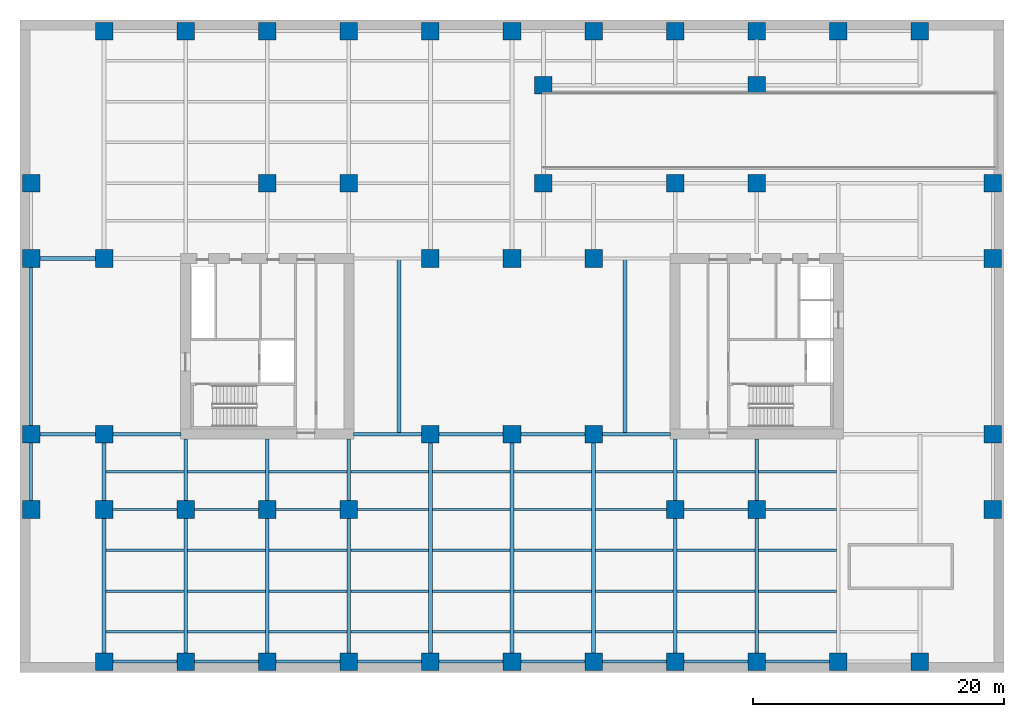
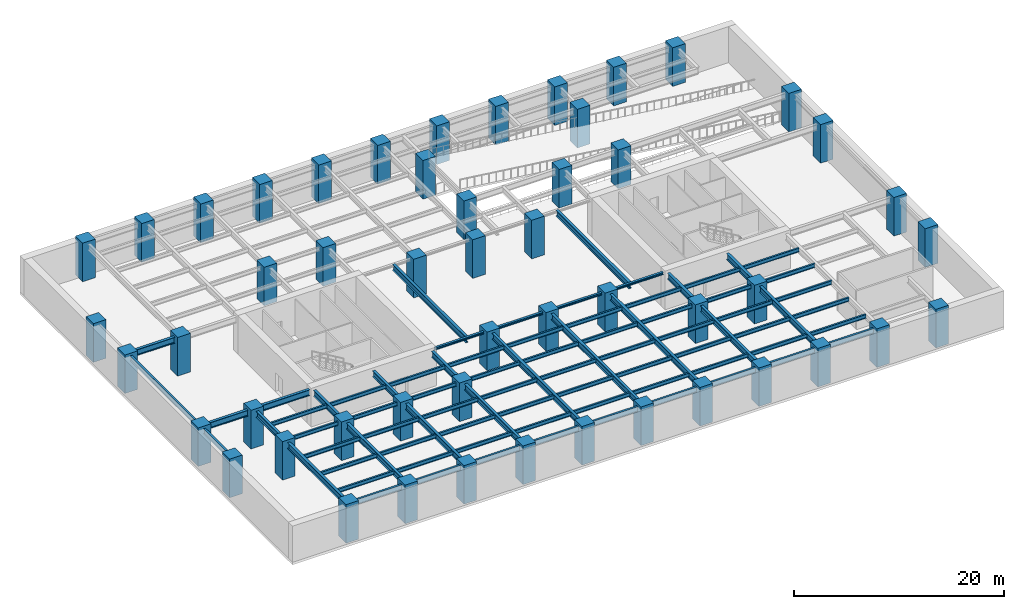
# One storey, part 1 of 10: 80 beams, 51 columns.
"""IFC4 building model written with IfcOpenShell, lengths in metres."""

from ifc_helpers import new_model, si_unit, direction, frame, origin, origin_2d, place, context, subcontext, project, spatial, rectangle, i_section, extrude, material, material_profile, profile_set, type_object, element, save


model = new_model("IFC4")

# Units and contexts
model_context = context("Model", 3, precision=1e-05, world=origin(), true_north=direction((0.0, 1.0)))
body_context = subcontext(model_context, "Body", "Model", "MODEL_VIEW")
ifc_project = project(units=[si_unit("LENGTHUNIT", "METRE"), si_unit("AREAUNIT", "SQUARE_METRE"), si_unit("VOLUMEUNIT", "CUBIC_METRE"), si_unit("PLANEANGLEUNIT", "RADIAN"), si_unit("MASSUNIT", "GRAM", prefix="KILO")], contexts=[model_context])

# Site, building, storey
site_placement = place(None, origin())
site = spatial("IfcSite", under=ifc_project, at=site_placement, CompositionType="ELEMENT")
building_placement = place(site_placement, origin())
building = spatial("IfcBuilding", under=site, at=building_placement, Name="Putna Gate Headquarters", CompositionType="ELEMENT")
storey_placement = place(building_placement, frame((0.0, 0.0, -9.0)))
storey = spatial("IfcBuildingStorey", under=building, at=storey_placement, Name="B02", CompositionType="ELEMENT", Elevation=-9.0)

# Columns
ifc_material_1 = material(Name="Concrete C60/75", Category="concrete")
ifc_material_profile_1 = material_profile(ifc_material_1, rectangle(XDim=1.39990234375, YDim=1.39990234375, at=origin_2d()), Name="Concrete C60/75")
ifc_profile_set_1 = profile_set([ifc_material_profile_1], Name="Concrete C60/75")
column_type = type_object("IfcColumnType", Name="COL-RC1400-INT", PredefinedType="COLUMN", material=ifc_profile_set_1)
for number, where, z_axis, x_axis, name in (
    (1, (19.5, 39.0, 0.0), (0.0, 0.0, 1.0), (1.0, 0.0, 0.0), "B02 Column CSI-WN"),
    (2, (58.5, 13.0, 0.0), (0.0, 0.0, 1.0), (1.0, 0.0, 0.0), "B02 Column CSI-ES"),
    (3, (58.5, 39.0, 0.0), (0.0, 0.0, 1.0), (1.0, 0.0, 0.0), "B02 Column CSI-EN"),
    (4, (6.5, 19.0, 0.0), (0.0, 0.0, 1.0), (1.0, 0.0, 0.0), "B02 Column CSI-WM"),
    (5, (6.5, 33.0, 0.0), (0.0, 0.0, 1.0), (1.0, 0.0, 0.0), "B02 Column CSI-WNW"),
    (6, (6.5, 13.0, 0.0), (0.0, 0.0, 1.0), (1.0, 0.0, 0.0), "B02 Column CSI-WS"),
    (7, (13.0, 13.0, 0.0), (0.0, 0.0, 1.0), (1.0, 0.0, 0.0), "B02 Column CSI-WS13"),
    (8, (19.5, 13.0, 0.0), (0.0, 0.0, 1.0), (1.0, 0.0, 0.0), "B02 Column CSI-WS19"),
    (9, (32.5, 19.0, 0.0), (0.0, 0.0, 1.0), (1.0, 0.0, 0.0), "B02 Column CAI-S32"),
    (10, (32.5, 33.0, 0.0), (0.0, 0.0, 1.0), (1.0, 0.0, 0.0), "B02 Column CAI-N32"),
    (11, (39.0, 19.0, 0.0), (0.0, 0.0, 1.0), (1.0, 0.0, 0.0), "B02 Column CAI-S39"),
    (12, (39.0, 33.0, 0.0), (0.0, 0.0, 1.0), (1.0, 0.0, 0.0), "B02 Column CAI-N39"),
    (13, (45.5, 19.0, 0.0), (0.0, 0.0, 1.0), (1.0, 0.0, 0.0), "B02 Column CAI-S45"),
    (14, (45.5, 33.0, 0.0), (0.0, 0.0, 1.0), (1.0, 0.0, 0.0), "B02 Column CAI-N45"),
    (15, (41.5, 39.0, 0.0), (0.0, 0.0, 1.0), (1.0, 0.0, 0.0), "B02 Column CRMP-SW"),
    (16, (41.5, 46.800048828125, 0.0), (0.0, 0.0, 1.0), (1.0, 0.0, 0.0), "B02 Column CRMP-NW"),
    (17, (58.5, 46.800048828125, 0.0), (0.0, 0.0, 1.0), (1.0, 0.0, 0.0), "B02 Column CRMP-NM"),
    (18, (26.0, 13.0, 0.0), (0.0, 0.0, 1.0), (1.0, 0.0, 0.0), "B02 Column CAP-WS"),
    (19, (26.0, 39.0, 0.0), (0.0, 0.0, 1.0), (1.0, 0.0, 0.0), "B02 Column CAP-WN"),
    (20, (52.0, 13.0, 0.0), (0.0, 0.0, 1.0), (1.0, 0.0, 0.0), "B02 Column CAP-ES"),
    (21, (52.0, 39.0, 0.0), (0.0, 0.0, 1.0), (1.0, 0.0, 0.0), "B02 Column CAP-EN"),
    (22, (6.5, 0.8798828125, 0.0), (0.0, 0.0, 1.0), (1.0, 0.0, 0.0), "B02 Column CP-S6"),
    (23, (6.5, 51.1201171875, 0.0), (0.0, 0.0, 1.0), (1.0, 0.0, 0.0), "B02 Column CP-N6"),
    (24, (13.0, 0.8798828125, 0.0), (0.0, 0.0, 1.0), (1.0, 0.0, 0.0), "B02 Column CP-S13"),
    (25, (13.0, 51.1201171875, 0.0), (0.0, 0.0, 1.0), (1.0, 0.0, 0.0), "B02 Column CP-N13"),
    (26, (19.5, 0.8798828125, 0.0), (0.0, 0.0, 1.0), (1.0, 0.0, 0.0), "B02 Column CP-S19"),
    (27, (19.5, 51.1201171875, 0.0), (0.0, 0.0, 1.0), (1.0, 0.0, 0.0), "B02 Column CP-N19"),
    (28, (26.0, 0.8798828125, 0.0), (0.0, 0.0, 1.0), (1.0, 0.0, 0.0), "B02 Column CP-S26"),
    (29, (26.0, 51.1201171875, 0.0), (0.0, 0.0, 1.0), (1.0, 0.0, 0.0), "B02 Column CP-N26"),
    (30, (32.5, 0.8798828125, 0.0), (0.0, 0.0, 1.0), (1.0, 0.0, 0.0), "B02 Column CP-S32"),
    (31, (32.5, 51.1201171875, 0.0), (0.0, 0.0, 1.0), (1.0, 0.0, 0.0), "B02 Column CP-N32"),
    (32, (39.0, 0.8798828125, 0.0), (0.0, 0.0, 1.0), (1.0, 0.0, 0.0), "B02 Column CP-S39"),
    (33, (39.0, 51.1201171875, 0.0), (0.0, 0.0, 1.0), (1.0, 0.0, 0.0), "B02 Column CP-N39"),
    (34, (45.5, 0.8798828125, 0.0), (0.0, 0.0, 1.0), (1.0, 0.0, 0.0), "B02 Column CP-S45"),
    (35, (45.5, 51.1201171875, 0.0), (0.0, 0.0, 1.0), (1.0, 0.0, 0.0), "B02 Column CP-N45"),
    (36, (52.0, 0.8798828125, 0.0), (0.0, 0.0, 1.0), (1.0, 0.0, 0.0), "B02 Column CP-S52"),
    (37, (52.0, 51.1201171875, 0.0), (0.0, 0.0, 1.0), (1.0, 0.0, 0.0), "B02 Column CP-N52"),
    (38, (58.5, 0.8798828125, 0.0), (0.0, 0.0, 1.0), (1.0, 0.0, 0.0), "B02 Column CP-S58"),
    (39, (58.5, 51.1201171875, 0.0), (0.0, 0.0, 1.0), (1.0, 0.0, 0.0), "B02 Column CP-N58"),
    (40, (65.0, 0.8798828125, 0.0), (0.0, 0.0, 1.0), (1.0, 0.0, 0.0), "B02 Column CP-S65"),
    (41, (65.0, 51.1201171875, 0.0), (0.0, 0.0, 1.0), (1.0, 0.0, 0.0), "B02 Column CP-N65"),
    (42, (71.5, 0.8798828125, 0.0), (0.0, 0.0, 1.0), (1.0, 0.0, 0.0), "B02 Column CP-S71"),
    (43, (71.5, 51.1201171875, 0.0), (0.0, 0.0, 1.0), (1.0, 0.0, 0.0), "B02 Column CP-N71"),
    (44, (0.679931640625, 13.0, 0.0), (0.0, 0.0, 1.0), (1.0, 0.0, 0.0), "B02 Column CP-W13"),
    (45, (77.320068359375, 13.0, 0.0), (0.0, 0.0, 1.0), (1.0, 0.0, 0.0), "B02 Column CP-E13"),
    (46, (0.679931640625, 19.0, 0.0), (0.0, 0.0, 1.0), (1.0, 0.0, 0.0), "B02 Column CP-W19"),
    (47, (77.320068359375, 19.0, 0.0), (0.0, 0.0, 1.0), (1.0, 0.0, 0.0), "B02 Column CP-E19"),
    (48, (0.679931640625, 33.0, 0.0), (0.0, 0.0, 1.0), (1.0, 0.0, 0.0), "B02 Column CP-W33"),
    (49, (77.320068359375, 33.0, 0.0), (0.0, 0.0, 1.0), (1.0, 0.0, 0.0), "B02 Column CP-E33"),
    (50, (0.679931640625, 39.0, 0.0), (0.0, 0.0, 1.0), (1.0, 0.0, 0.0), "B02 Column CP-W39"),
    (51, (77.320068359375, 39.0, 0.0), (0.0, 0.0, 1.0), (1.0, 0.0, 0.0), "B02 Column CP-E39"),
):
    element("IfcColumn", number, at=place(storey_placement, frame(where, z_axis=z_axis, x_axis=x_axis)), inside=storey, type_object=column_type, Name=name, PredefinedType="COLUMN", context=body_context, shape_type="SweptSolid", body=[
        extrude(rectangle(XDim=1.39990234375, YDim=1.39990234375, at=origin_2d()), origin(), (0.0, 0.0, 1.0), 4.5),
    ])

# Beams
ifc_material_2 = material(Name="Steel S355J2", Category="steel")
ifc_material_profile_2 = material_profile(ifc_material_2, i_section(OverallWidth=0.260009765625, OverallDepth=0.260009765625, WebThickness=0.010009765625, FlangeThickness=0.017578125, at=origin_2d()), Name="Steel S355J2")
ifc_profile_set_2 = profile_set([ifc_material_profile_2], Name="Steel S355J2")
beam_type_1 = type_object("IfcBeamType", Name="BM-ATRIUM-HEB260", PredefinedType="BEAM", material=ifc_profile_set_2)
beam_1_placement = place(storey_placement, frame((26.385009765625, 19.0, 4.070068359375), z_axis=(1.0, 0.0, 0.0), x_axis=(0.0, 1.0, 0.0)))
element("IfcBeam", 52, at=beam_1_placement, inside=storey, type_object=beam_type_1, Name="B02 Atrium Edge Beam AS1", PredefinedType="BEAM", context=body_context, shape_type="SweptSolid", body=[
    extrude(i_section(OverallWidth=0.260009765625, OverallDepth=0.260009765625, WebThickness=0.010009765625, FlangeThickness=0.017578125, at=origin_2d()), origin(), (0.0, 0.0, 1.0), 5.427001953125),
])
for number, where, z_axis, x_axis, name in (
    (53, (33.18798828125, 19.0, 4.070068359375), (1.0, 0.0, 0.0), (0.0, 1.0, 0.0), "B02 Atrium Edge Beam AS2"),
    (54, (39.68798828125, 19.0, 4.070068359375), (1.0, 0.0, 0.0), (0.0, 1.0, 0.0), "B02 Atrium Edge Beam AS3"),
):
    element("IfcBeam", number, at=place(storey_placement, frame(where, z_axis=z_axis, x_axis=x_axis)), inside=storey, type_object=beam_type_1, Name=name, PredefinedType="BEAM", context=body_context, shape_type="SweptSolid", body=[
        extrude(i_section(OverallWidth=0.260009765625, OverallDepth=0.260009765625, WebThickness=0.010009765625, FlangeThickness=0.017578125, at=origin_2d()), origin(), (0.0, 0.0, 1.0), 5.1240234375),
    ])
beam_2_placement = place(storey_placement, frame((46.18798828125, 19.0, 4.070068359375), z_axis=(1.0, 0.0, 0.0), x_axis=(0.0, 1.0, 0.0)))
element("IfcBeam", 55, at=beam_2_placement, inside=storey, type_object=beam_type_1, Name="B02 Atrium Edge Beam AS4", PredefinedType="BEAM", context=body_context, shape_type="SweptSolid", body=[
    extrude(i_section(OverallWidth=0.260009765625, OverallDepth=0.260009765625, WebThickness=0.010009765625, FlangeThickness=0.017578125, at=origin_2d()), origin(), (0.0, 0.0, 1.0), 5.427001953125),
])
ifc_material_profile_3 = material_profile(ifc_material_2, i_section(OverallWidth=0.300048828125, OverallDepth=0.699951171875, WebThickness=0.01708984375, FlangeThickness=0.031982421875, at=origin_2d()), Name="Steel S355J2")
ifc_profile_set_3 = profile_set([ifc_material_profile_3], Name="Steel S355J2")
beam_type_2 = type_object("IfcBeamType", Name="BM-GIRD-B-HEB700", PredefinedType="USERDEFINED", material=ifc_profile_set_3)
beam_3_placement = place(storey_placement, frame((1.367919921875, 19.0, 3.85009765625), z_axis=(1.0, 0.0, 0.0), x_axis=(0.0, 1.0, 0.0)))
element("IfcBeam", 56, at=beam_3_placement, inside=storey, type_object=beam_type_2, Name="B02 West Wing Girder Y19-1", ObjectType="GIRDER", PredefinedType="USERDEFINED", context=body_context, shape_type="SweptSolid", body=[
    extrude(i_section(OverallWidth=0.300048828125, OverallDepth=0.699951171875, WebThickness=0.01708984375, FlangeThickness=0.031982421875, at=origin_2d()), origin(), (0.0, 0.0, 1.0), 4.444091796875),
])
beam_4_placement = place(storey_placement, frame((7.18798828125, 19.0, 3.85009765625), z_axis=(1.0, 0.0, 0.0), x_axis=(0.0, 1.0, 0.0)))
element("IfcBeam", 57, at=beam_4_placement, inside=storey, type_object=beam_type_2, Name="B02 West Wing Girder Y19-2", ObjectType="GIRDER", PredefinedType="USERDEFINED", context=body_context, shape_type="SweptSolid", body=[
    extrude(i_section(OverallWidth=0.300048828125, OverallDepth=0.699951171875, WebThickness=0.01708984375, FlangeThickness=0.031982421875, at=origin_2d()), origin(), (0.0, 0.0, 1.0), 5.427001953125),
])
beam_5_placement = place(storey_placement, frame((1.367919921875, 33.0, 3.85009765625), z_axis=(1.0, 0.0, 0.0), x_axis=(0.0, 1.0, 0.0)))
element("IfcBeam", 58, at=beam_5_placement, inside=storey, type_object=beam_type_2, Name="B02 West Wing Girder Y33-1", ObjectType="GIRDER", PredefinedType="USERDEFINED", context=body_context, shape_type="SweptSolid", body=[
    extrude(i_section(OverallWidth=0.300048828125, OverallDepth=0.699951171875, WebThickness=0.01708984375, FlangeThickness=0.031982421875, at=origin_2d()), origin(), (0.0, 0.0, 1.0), 4.444091796875),
])
beam_6_placement = place(storey_placement, frame((6.5, 1.568115234375, 3.85009765625), z_axis=(0.0, 1.0, 0.0), x_axis=(-1.0, 0.0, 0.0)))
element("IfcBeam", 59, at=beam_6_placement, inside=storey, type_object=beam_type_2, Name="B02 South Primary Girder X6-1", ObjectType="GIRDER", PredefinedType="USERDEFINED", context=body_context, shape_type="SweptSolid", body=[
    extrude(i_section(OverallWidth=0.300048828125, OverallDepth=0.699951171875, WebThickness=0.01708984375, FlangeThickness=0.031982421875, at=origin_2d()), origin(), (0.0, 0.0, 1.0), 10.743896484375),
])
beam_7_placement = place(storey_placement, frame((6.5, 13.68798828125, 3.85009765625), z_axis=(0.0, 1.0, 0.0), x_axis=(-1.0, 0.0, 0.0)))
element("IfcBeam", 60, at=beam_7_placement, inside=storey, type_object=beam_type_2, Name="B02 South Primary Girder X6-2", ObjectType="GIRDER", PredefinedType="USERDEFINED", context=body_context, shape_type="SweptSolid", body=[
    extrude(i_section(OverallWidth=0.300048828125, OverallDepth=0.699951171875, WebThickness=0.01708984375, FlangeThickness=0.031982421875, at=origin_2d()), origin(), (0.0, 0.0, 1.0), 4.6240234375),
])
beam_8_placement = place(storey_placement, frame((13.0, 1.568115234375, 3.85009765625), z_axis=(0.0, 1.0, 0.0), x_axis=(-1.0, 0.0, 0.0)))
element("IfcBeam", 61, at=beam_8_placement, inside=storey, type_object=beam_type_2, Name="B02 South Primary Girder X13-1", ObjectType="GIRDER", PredefinedType="USERDEFINED", context=body_context, shape_type="SweptSolid", body=[
    extrude(i_section(OverallWidth=0.300048828125, OverallDepth=0.699951171875, WebThickness=0.01708984375, FlangeThickness=0.031982421875, at=origin_2d()), origin(), (0.0, 0.0, 1.0), 10.743896484375),
])
beam_9_placement = place(storey_placement, frame((13.0, 13.68798828125, 3.85009765625), z_axis=(0.0, 1.0, 0.0), x_axis=(-1.0, 0.0, 0.0)))
element("IfcBeam", 62, at=beam_9_placement, inside=storey, type_object=beam_type_2, Name="B02 South Primary Girder X13-2", ObjectType="GIRDER", PredefinedType="USERDEFINED", context=body_context, shape_type="SweptSolid", body=[
    extrude(i_section(OverallWidth=0.300048828125, OverallDepth=0.699951171875, WebThickness=0.01708984375, FlangeThickness=0.031982421875, at=origin_2d()), origin(), (0.0, 0.0, 1.0), 4.927001953125),
])
beam_10_placement = place(storey_placement, frame((19.5, 1.568115234375, 3.85009765625), z_axis=(0.0, 1.0, 0.0), x_axis=(-1.0, 0.0, 0.0)))
element("IfcBeam", 63, at=beam_10_placement, inside=storey, type_object=beam_type_2, Name="B02 South Primary Girder X19-1", ObjectType="GIRDER", PredefinedType="USERDEFINED", context=body_context, shape_type="SweptSolid", body=[
    extrude(i_section(OverallWidth=0.300048828125, OverallDepth=0.699951171875, WebThickness=0.01708984375, FlangeThickness=0.031982421875, at=origin_2d()), origin(), (0.0, 0.0, 1.0), 10.743896484375),
])
beam_11_placement = place(storey_placement, frame((19.5, 13.68798828125, 3.85009765625), z_axis=(0.0, 1.0, 0.0), x_axis=(-1.0, 0.0, 0.0)))
element("IfcBeam", 64, at=beam_11_placement, inside=storey, type_object=beam_type_2, Name="B02 South Primary Girder X19-2", ObjectType="GIRDER", PredefinedType="USERDEFINED", context=body_context, shape_type="SweptSolid", body=[
    extrude(i_section(OverallWidth=0.300048828125, OverallDepth=0.699951171875, WebThickness=0.01708984375, FlangeThickness=0.031982421875, at=origin_2d()), origin(), (0.0, 0.0, 1.0), 4.927001953125),
])
beam_12_placement = place(storey_placement, frame((26.0, 1.568115234375, 3.85009765625), z_axis=(0.0, 1.0, 0.0), x_axis=(-1.0, 0.0, 0.0)))
element("IfcBeam", 65, at=beam_12_placement, inside=storey, type_object=beam_type_2, Name="B02 South Primary Girder X26-1", ObjectType="GIRDER", PredefinedType="USERDEFINED", context=body_context, shape_type="SweptSolid", body=[
    extrude(i_section(OverallWidth=0.300048828125, OverallDepth=0.699951171875, WebThickness=0.01708984375, FlangeThickness=0.031982421875, at=origin_2d()), origin(), (0.0, 0.0, 1.0), 10.743896484375),
])
beam_13_placement = place(storey_placement, frame((26.0, 13.68798828125, 3.85009765625), z_axis=(0.0, 1.0, 0.0), x_axis=(-1.0, 0.0, 0.0)))
element("IfcBeam", 66, at=beam_13_placement, inside=storey, type_object=beam_type_2, Name="B02 South Primary Girder X26-2", ObjectType="GIRDER", PredefinedType="USERDEFINED", context=body_context, shape_type="SweptSolid", body=[
    extrude(i_section(OverallWidth=0.300048828125, OverallDepth=0.699951171875, WebThickness=0.01708984375, FlangeThickness=0.031982421875, at=origin_2d()), origin(), (0.0, 0.0, 1.0), 4.927001953125),
])
for number, where, z_axis, x_axis, name in (
    (67, (32.5, 1.568115234375, 3.85009765625), (0.0, 1.0, 0.0), (-1.0, 0.0, 0.0), "B02 South Primary Girder X32"),
    (68, (39.0, 1.568115234375, 3.85009765625), (0.0, 1.0, 0.0), (-1.0, 0.0, 0.0), "B02 South Primary Girder X39"),
    (69, (45.5, 1.568115234375, 3.85009765625), (0.0, 1.0, 0.0), (-1.0, 0.0, 0.0), "B02 South Primary Girder X45"),
):
    element("IfcBeam", number, at=place(storey_placement, frame(where, z_axis=z_axis, x_axis=x_axis)), inside=storey, type_object=beam_type_2, Name=name, ObjectType="GIRDER", PredefinedType="USERDEFINED", context=body_context, shape_type="SweptSolid", body=[
        extrude(i_section(OverallWidth=0.300048828125, OverallDepth=0.699951171875, WebThickness=0.01708984375, FlangeThickness=0.031982421875, at=origin_2d()), origin(), (0.0, 0.0, 1.0), 16.743896484375),
    ])
beam_14_placement = place(storey_placement, frame((52.0, 1.568115234375, 3.85009765625), z_axis=(0.0, 1.0, 0.0), x_axis=(-1.0, 0.0, 0.0)))
element("IfcBeam", 70, at=beam_14_placement, inside=storey, type_object=beam_type_2, Name="B02 South Primary Girder X52-1", ObjectType="GIRDER", PredefinedType="USERDEFINED", context=body_context, shape_type="SweptSolid", body=[
    extrude(i_section(OverallWidth=0.300048828125, OverallDepth=0.699951171875, WebThickness=0.01708984375, FlangeThickness=0.031982421875, at=origin_2d()), origin(), (0.0, 0.0, 1.0), 10.743896484375),
])
beam_15_placement = place(storey_placement, frame((52.0, 13.68798828125, 3.85009765625), z_axis=(0.0, 1.0, 0.0), x_axis=(-1.0, 0.0, 0.0)))
element("IfcBeam", 71, at=beam_15_placement, inside=storey, type_object=beam_type_2, Name="B02 South Primary Girder X52-2", ObjectType="GIRDER", PredefinedType="USERDEFINED", context=body_context, shape_type="SweptSolid", body=[
    extrude(i_section(OverallWidth=0.300048828125, OverallDepth=0.699951171875, WebThickness=0.01708984375, FlangeThickness=0.031982421875, at=origin_2d()), origin(), (0.0, 0.0, 1.0), 4.927001953125),
])
beam_16_placement = place(storey_placement, frame((58.5, 1.568115234375, 3.85009765625), z_axis=(0.0, 1.0, 0.0), x_axis=(-1.0, 0.0, 0.0)))
element("IfcBeam", 72, at=beam_16_placement, inside=storey, type_object=beam_type_2, Name="B02 South Primary Girder X58-1", ObjectType="GIRDER", PredefinedType="USERDEFINED", context=body_context, shape_type="SweptSolid", body=[
    extrude(i_section(OverallWidth=0.300048828125, OverallDepth=0.699951171875, WebThickness=0.01708984375, FlangeThickness=0.031982421875, at=origin_2d()), origin(), (0.0, 0.0, 1.0), 10.743896484375),
])
beam_17_placement = place(storey_placement, frame((58.5, 13.68798828125, 3.85009765625), z_axis=(0.0, 1.0, 0.0), x_axis=(-1.0, 0.0, 0.0)))
element("IfcBeam", 73, at=beam_17_placement, inside=storey, type_object=beam_type_2, Name="B02 South Primary Girder X58-2", ObjectType="GIRDER", PredefinedType="USERDEFINED", context=body_context, shape_type="SweptSolid", body=[
    extrude(i_section(OverallWidth=0.300048828125, OverallDepth=0.699951171875, WebThickness=0.01708984375, FlangeThickness=0.031982421875, at=origin_2d()), origin(), (0.0, 0.0, 1.0), 4.927001953125),
])
for number, where, z_axis, x_axis, name in (
    (74, (30.0, 19.010009765625, 3.85009765625), (0.0, 1.0, 0.0), (-1.0, 0.0, 0.0), "B02 Atrium Trim Girder AW"),
    (75, (48.0, 19.010009765625, 3.85009765625), (0.0, 1.0, 0.0), (-1.0, 0.0, 0.0), "B02 Atrium Trim Girder AE"),
):
    element("IfcBeam", number, at=place(storey_placement, frame(where, z_axis=z_axis, x_axis=x_axis)), inside=storey, type_object=beam_type_2, Name=name, ObjectType="GIRDER", PredefinedType="USERDEFINED", context=body_context, shape_type="SweptSolid", body=[
        extrude(i_section(OverallWidth=0.300048828125, OverallDepth=0.699951171875, WebThickness=0.01708984375, FlangeThickness=0.031982421875, at=origin_2d()), origin(), (0.0, 0.0, 1.0), 13.97998046875),
    ])
ifc_material_profile_4 = material_profile(ifc_material_2, i_section(OverallWidth=0.18994140625, OverallDepth=0.449951171875, WebThickness=0.009521484375, FlangeThickness=0.0146484375, at=origin_2d()), Name="Steel S355J2")
ifc_profile_set_4 = profile_set([ifc_material_profile_4], Name="Steel S355J2")
beam_type_3 = type_object("IfcBeamType", Name="BM-SEC-B-IPE450", PredefinedType="BEAM", material=ifc_profile_set_4)
for number, where, z_axis, x_axis, name in (
    (76, (6.654052734375, 3.25, 3.97509765625), (1.0, 0.0, 0.0), (0.0, 1.0, 0.0), "B02 South Secondary Beam 1"),
    (77, (6.654052734375, 6.5, 3.97509765625), (1.0, 0.0, 0.0), (0.0, 1.0, 0.0), "B02 South Secondary Beam 1"),
    (78, (6.654052734375, 9.75, 3.97509765625), (1.0, 0.0, 0.0), (0.0, 1.0, 0.0), "B02 South Secondary Beam 1"),
):
    element("IfcBeam", number, at=place(storey_placement, frame(where, z_axis=z_axis, x_axis=x_axis)), inside=storey, type_object=beam_type_3, Name=name, PredefinedType="BEAM", context=body_context, shape_type="SweptSolid", body=[
        extrude(i_section(OverallWidth=0.18994140625, OverallDepth=0.449951171875, WebThickness=0.009521484375, FlangeThickness=0.0146484375, at=origin_2d()), origin(), (0.0, 0.0, 1.0), 6.19189453125),
    ])
beam_18_placement = place(storey_placement, frame((7.18798828125, 13.0, 3.97509765625), z_axis=(1.0, 0.0, 0.0), x_axis=(0.0, 1.0, 0.0)))
element("IfcBeam", 79, at=beam_18_placement, inside=storey, type_object=beam_type_3, Name="B02 South Secondary Beam 1", PredefinedType="BEAM", context=body_context, shape_type="SweptSolid", body=[
    extrude(i_section(OverallWidth=0.18994140625, OverallDepth=0.449951171875, WebThickness=0.009521484375, FlangeThickness=0.0146484375, at=origin_2d()), origin(), (0.0, 0.0, 1.0), 5.1240234375),
])
for number, where, z_axis, x_axis, name in (
    (80, (6.654052734375, 16.0, 3.97509765625), (1.0, 0.0, 0.0), (0.0, 1.0, 0.0), "B02 South Secondary Beam 1"),
    (81, (13.154052734375, 3.25, 3.97509765625), (1.0, 0.0, 0.0), (0.0, 1.0, 0.0), "B02 South Secondary Beam 2"),
    (82, (13.154052734375, 6.5, 3.97509765625), (1.0, 0.0, 0.0), (0.0, 1.0, 0.0), "B02 South Secondary Beam 2"),
    (83, (13.154052734375, 9.75, 3.97509765625), (1.0, 0.0, 0.0), (0.0, 1.0, 0.0), "B02 South Secondary Beam 2"),
):
    element("IfcBeam", number, at=place(storey_placement, frame(where, z_axis=z_axis, x_axis=x_axis)), inside=storey, type_object=beam_type_3, Name=name, PredefinedType="BEAM", context=body_context, shape_type="SweptSolid", body=[
        extrude(i_section(OverallWidth=0.18994140625, OverallDepth=0.449951171875, WebThickness=0.009521484375, FlangeThickness=0.0146484375, at=origin_2d()), origin(), (0.0, 0.0, 1.0), 6.19189453125),
    ])
beam_19_placement = place(storey_placement, frame((13.68798828125, 13.0, 3.97509765625), z_axis=(1.0, 0.0, 0.0), x_axis=(0.0, 1.0, 0.0)))
element("IfcBeam", 84, at=beam_19_placement, inside=storey, type_object=beam_type_3, Name="B02 South Secondary Beam 2", PredefinedType="BEAM", context=body_context, shape_type="SweptSolid", body=[
    extrude(i_section(OverallWidth=0.18994140625, OverallDepth=0.449951171875, WebThickness=0.009521484375, FlangeThickness=0.0146484375, at=origin_2d()), origin(), (0.0, 0.0, 1.0), 5.1240234375),
])
for number, where, z_axis, x_axis, name in (
    (85, (13.154052734375, 16.0, 3.97509765625), (1.0, 0.0, 0.0), (0.0, 1.0, 0.0), "B02 South Secondary Beam 2"),
    (86, (19.654052734375, 3.25, 3.97509765625), (1.0, 0.0, 0.0), (0.0, 1.0, 0.0), "B02 South Secondary Beam 3"),
    (87, (19.654052734375, 6.5, 3.97509765625), (1.0, 0.0, 0.0), (0.0, 1.0, 0.0), "B02 South Secondary Beam 3"),
    (88, (19.654052734375, 9.75, 3.97509765625), (1.0, 0.0, 0.0), (0.0, 1.0, 0.0), "B02 South Secondary Beam 3"),
):
    element("IfcBeam", number, at=place(storey_placement, frame(where, z_axis=z_axis, x_axis=x_axis)), inside=storey, type_object=beam_type_3, Name=name, PredefinedType="BEAM", context=body_context, shape_type="SweptSolid", body=[
        extrude(i_section(OverallWidth=0.18994140625, OverallDepth=0.449951171875, WebThickness=0.009521484375, FlangeThickness=0.0146484375, at=origin_2d()), origin(), (0.0, 0.0, 1.0), 6.19189453125),
    ])
beam_20_placement = place(storey_placement, frame((20.18798828125, 13.0, 3.97509765625), z_axis=(1.0, 0.0, 0.0), x_axis=(0.0, 1.0, 0.0)))
element("IfcBeam", 89, at=beam_20_placement, inside=storey, type_object=beam_type_3, Name="B02 South Secondary Beam 3", PredefinedType="BEAM", context=body_context, shape_type="SweptSolid", body=[
    extrude(i_section(OverallWidth=0.18994140625, OverallDepth=0.449951171875, WebThickness=0.009521484375, FlangeThickness=0.0146484375, at=origin_2d()), origin(), (0.0, 0.0, 1.0), 5.1240234375),
])
for number, where, z_axis, x_axis, name in (
    (90, (19.654052734375, 16.0, 3.97509765625), (1.0, 0.0, 0.0), (0.0, 1.0, 0.0), "B02 South Secondary Beam 3"),
    (91, (26.154052734375, 3.25, 3.97509765625), (1.0, 0.0, 0.0), (0.0, 1.0, 0.0), "B02 South Secondary Beam 4"),
    (92, (26.154052734375, 6.5, 3.97509765625), (1.0, 0.0, 0.0), (0.0, 1.0, 0.0), "B02 South Secondary Beam 4"),
    (93, (26.154052734375, 9.75, 3.97509765625), (1.0, 0.0, 0.0), (0.0, 1.0, 0.0), "B02 South Secondary Beam 4"),
):
    element("IfcBeam", number, at=place(storey_placement, frame(where, z_axis=z_axis, x_axis=x_axis)), inside=storey, type_object=beam_type_3, Name=name, PredefinedType="BEAM", context=body_context, shape_type="SweptSolid", body=[
        extrude(i_section(OverallWidth=0.18994140625, OverallDepth=0.449951171875, WebThickness=0.009521484375, FlangeThickness=0.0146484375, at=origin_2d()), origin(), (0.0, 0.0, 1.0), 6.19189453125),
    ])
beam_21_placement = place(storey_placement, frame((26.68798828125, 13.0, 3.97509765625), z_axis=(1.0, 0.0, 0.0), x_axis=(0.0, 1.0, 0.0)))
element("IfcBeam", 94, at=beam_21_placement, inside=storey, type_object=beam_type_3, Name="B02 South Secondary Beam 4", PredefinedType="BEAM", context=body_context, shape_type="SweptSolid", body=[
    extrude(i_section(OverallWidth=0.18994140625, OverallDepth=0.449951171875, WebThickness=0.009521484375, FlangeThickness=0.0146484375, at=origin_2d()), origin(), (0.0, 0.0, 1.0), 5.657958984375),
])
for number, where, z_axis, x_axis, name in (
    (95, (26.154052734375, 16.0, 3.97509765625), (1.0, 0.0, 0.0), (0.0, 1.0, 0.0), "B02 South Secondary Beam 4"),
    (96, (32.654052734375, 3.25, 3.97509765625), (1.0, 0.0, 0.0), (0.0, 1.0, 0.0), "B02 South Secondary Beam 5"),
    (97, (32.654052734375, 6.5, 3.97509765625), (1.0, 0.0, 0.0), (0.0, 1.0, 0.0), "B02 South Secondary Beam 5"),
    (98, (32.654052734375, 9.75, 3.97509765625), (1.0, 0.0, 0.0), (0.0, 1.0, 0.0), "B02 South Secondary Beam 5"),
    (99, (32.654052734375, 13.0, 3.97509765625), (1.0, 0.0, 0.0), (0.0, 1.0, 0.0), "B02 South Secondary Beam 5"),
    (100, (32.654052734375, 16.0, 3.97509765625), (1.0, 0.0, 0.0), (0.0, 1.0, 0.0), "B02 South Secondary Beam 5"),
    (101, (39.154052734375, 3.25, 3.97509765625), (1.0, 0.0, 0.0), (0.0, 1.0, 0.0), "B02 South Secondary Beam 6"),
    (102, (39.154052734375, 6.5, 3.97509765625), (1.0, 0.0, 0.0), (0.0, 1.0, 0.0), "B02 South Secondary Beam 6"),
    (103, (39.154052734375, 9.75, 3.97509765625), (1.0, 0.0, 0.0), (0.0, 1.0, 0.0), "B02 South Secondary Beam 6"),
    (104, (39.154052734375, 13.0, 3.97509765625), (1.0, 0.0, 0.0), (0.0, 1.0, 0.0), "B02 South Secondary Beam 6"),
    (105, (39.154052734375, 16.0, 3.97509765625), (1.0, 0.0, 0.0), (0.0, 1.0, 0.0), "B02 South Secondary Beam 6"),
    (106, (45.654052734375, 3.25, 3.97509765625), (1.0, 0.0, 0.0), (0.0, 1.0, 0.0), "B02 South Secondary Beam 7"),
    (107, (45.654052734375, 6.5, 3.97509765625), (1.0, 0.0, 0.0), (0.0, 1.0, 0.0), "B02 South Secondary Beam 7"),
    (108, (45.654052734375, 9.75, 3.97509765625), (1.0, 0.0, 0.0), (0.0, 1.0, 0.0), "B02 South Secondary Beam 7"),
):
    element("IfcBeam", number, at=place(storey_placement, frame(where, z_axis=z_axis, x_axis=x_axis)), inside=storey, type_object=beam_type_3, Name=name, PredefinedType="BEAM", context=body_context, shape_type="SweptSolid", body=[
        extrude(i_section(OverallWidth=0.18994140625, OverallDepth=0.449951171875, WebThickness=0.009521484375, FlangeThickness=0.0146484375, at=origin_2d()), origin(), (0.0, 0.0, 1.0), 6.19189453125),
    ])
beam_22_placement = place(storey_placement, frame((45.654052734375, 13.0, 3.97509765625), z_axis=(1.0, 0.0, 0.0), x_axis=(0.0, 1.0, 0.0)))
element("IfcBeam", 109, at=beam_22_placement, inside=storey, type_object=beam_type_3, Name="B02 South Secondary Beam 7", PredefinedType="BEAM", context=body_context, shape_type="SweptSolid", body=[
    extrude(i_section(OverallWidth=0.18994140625, OverallDepth=0.449951171875, WebThickness=0.009521484375, FlangeThickness=0.0146484375, at=origin_2d()), origin(), (0.0, 0.0, 1.0), 5.657958984375),
])
for number, where, z_axis, x_axis, name in (
    (110, (45.654052734375, 16.0, 3.97509765625), (1.0, 0.0, 0.0), (0.0, 1.0, 0.0), "B02 South Secondary Beam 7"),
    (111, (52.154052734375, 3.25, 3.97509765625), (1.0, 0.0, 0.0), (0.0, 1.0, 0.0), "B02 South Secondary Beam 8"),
    (112, (52.154052734375, 6.5, 3.97509765625), (1.0, 0.0, 0.0), (0.0, 1.0, 0.0), "B02 South Secondary Beam 8"),
    (113, (52.154052734375, 9.75, 3.97509765625), (1.0, 0.0, 0.0), (0.0, 1.0, 0.0), "B02 South Secondary Beam 8"),
):
    element("IfcBeam", number, at=place(storey_placement, frame(where, z_axis=z_axis, x_axis=x_axis)), inside=storey, type_object=beam_type_3, Name=name, PredefinedType="BEAM", context=body_context, shape_type="SweptSolid", body=[
        extrude(i_section(OverallWidth=0.18994140625, OverallDepth=0.449951171875, WebThickness=0.009521484375, FlangeThickness=0.0146484375, at=origin_2d()), origin(), (0.0, 0.0, 1.0), 6.19189453125),
    ])
beam_23_placement = place(storey_placement, frame((52.68798828125, 13.0, 3.97509765625), z_axis=(1.0, 0.0, 0.0), x_axis=(0.0, 1.0, 0.0)))
element("IfcBeam", 114, at=beam_23_placement, inside=storey, type_object=beam_type_3, Name="B02 South Secondary Beam 8", PredefinedType="BEAM", context=body_context, shape_type="SweptSolid", body=[
    extrude(i_section(OverallWidth=0.18994140625, OverallDepth=0.449951171875, WebThickness=0.009521484375, FlangeThickness=0.0146484375, at=origin_2d()), origin(), (0.0, 0.0, 1.0), 5.1240234375),
])
for number, where, z_axis, x_axis, name in (
    (115, (52.154052734375, 16.0, 3.97509765625), (1.0, 0.0, 0.0), (0.0, 1.0, 0.0), "B02 South Secondary Beam 8"),
    (116, (58.654052734375, 3.25, 3.97509765625), (1.0, 0.0, 0.0), (0.0, 1.0, 0.0), "B02 South Secondary Beam 9"),
    (117, (58.654052734375, 6.5, 3.97509765625), (1.0, 0.0, 0.0), (0.0, 1.0, 0.0), "B02 South Secondary Beam 9"),
    (118, (58.654052734375, 9.75, 3.97509765625), (1.0, 0.0, 0.0), (0.0, 1.0, 0.0), "B02 South Secondary Beam 9"),
):
    element("IfcBeam", number, at=place(storey_placement, frame(where, z_axis=z_axis, x_axis=x_axis)), inside=storey, type_object=beam_type_3, Name=name, PredefinedType="BEAM", context=body_context, shape_type="SweptSolid", body=[
        extrude(i_section(OverallWidth=0.18994140625, OverallDepth=0.449951171875, WebThickness=0.009521484375, FlangeThickness=0.0146484375, at=origin_2d()), origin(), (0.0, 0.0, 1.0), 6.19189453125),
    ])
beam_24_placement = place(storey_placement, frame((59.18798828125, 13.0, 3.97509765625), z_axis=(1.0, 0.0, 0.0), x_axis=(0.0, 1.0, 0.0)))
element("IfcBeam", 119, at=beam_24_placement, inside=storey, type_object=beam_type_3, Name="B02 South Secondary Beam 9", PredefinedType="BEAM", context=body_context, shape_type="SweptSolid", body=[
    extrude(i_section(OverallWidth=0.18994140625, OverallDepth=0.449951171875, WebThickness=0.009521484375, FlangeThickness=0.0146484375, at=origin_2d()), origin(), (0.0, 0.0, 1.0), 5.657958984375),
])
beam_25_placement = place(storey_placement, frame((58.654052734375, 16.0, 3.97509765625), z_axis=(1.0, 0.0, 0.0), x_axis=(0.0, 1.0, 0.0)))
element("IfcBeam", 120, at=beam_25_placement, inside=storey, type_object=beam_type_3, Name="B02 South Secondary Beam 9", PredefinedType="BEAM", context=body_context, shape_type="SweptSolid", body=[
    extrude(i_section(OverallWidth=0.18994140625, OverallDepth=0.449951171875, WebThickness=0.009521484375, FlangeThickness=0.0146484375, at=origin_2d()), origin(), (0.0, 0.0, 1.0), 6.19189453125),
])
ifc_material_profile_5 = material_profile(ifc_material_2, i_section(OverallWidth=0.219970703125, OverallDepth=0.60009765625, WebThickness=0.011962890625, FlangeThickness=0.01904296875, at=origin_2d()), Name="Steel S355J2")
ifc_profile_set_5 = profile_set([ifc_material_profile_5], Name="Steel S355J2")
beam_type_4 = type_object("IfcBeamType", Name="BM-SPAN-B-IPE600", PredefinedType="SPANDREL", material=ifc_profile_set_5)
for number, where, z_axis, x_axis, name in (
    (121, (7.18798828125, 0.8798828125, 3.89990234375), (1.0, 0.0, 0.0), (0.0, 1.0, 0.0), "B02 S Perimeter Spandrel 1"),
    (122, (13.68798828125, 0.8798828125, 3.89990234375), (1.0, 0.0, 0.0), (0.0, 1.0, 0.0), "B02 S Perimeter Spandrel 2"),
    (123, (20.18798828125, 0.8798828125, 3.89990234375), (1.0, 0.0, 0.0), (0.0, 1.0, 0.0), "B02 S Perimeter Spandrel 3"),
    (124, (26.68798828125, 0.8798828125, 3.89990234375), (1.0, 0.0, 0.0), (0.0, 1.0, 0.0), "B02 S Perimeter Spandrel 4"),
    (125, (33.18798828125, 0.8798828125, 3.89990234375), (1.0, 0.0, 0.0), (0.0, 1.0, 0.0), "B02 S Perimeter Spandrel 5"),
    (126, (39.68798828125, 0.8798828125, 3.89990234375), (1.0, 0.0, 0.0), (0.0, 1.0, 0.0), "B02 S Perimeter Spandrel 6"),
    (127, (46.18798828125, 0.8798828125, 3.89990234375), (1.0, 0.0, 0.0), (0.0, 1.0, 0.0), "B02 S Perimeter Spandrel 7"),
    (128, (52.68798828125, 0.8798828125, 3.89990234375), (1.0, 0.0, 0.0), (0.0, 1.0, 0.0), "B02 S Perimeter Spandrel 8"),
    (129, (59.18798828125, 0.8798828125, 3.89990234375), (1.0, 0.0, 0.0), (0.0, 1.0, 0.0), "B02 S Perimeter Spandrel 9"),
):
    element("IfcBeam", number, at=place(storey_placement, frame(where, z_axis=z_axis, x_axis=x_axis)), inside=storey, type_object=beam_type_4, Name=name, PredefinedType="SPANDREL", context=body_context, shape_type="SweptSolid", body=[
        extrude(i_section(OverallWidth=0.219970703125, OverallDepth=0.60009765625, WebThickness=0.011962890625, FlangeThickness=0.01904296875, at=origin_2d()), origin(), (0.0, 0.0, 1.0), 5.1240234375),
    ])
beam_26_placement = place(storey_placement, frame((0.679931640625, 13.68798828125, 3.89990234375), z_axis=(0.0, 1.0, 0.0), x_axis=(-1.0, 0.0, 0.0)))
element("IfcBeam", 130, at=beam_26_placement, inside=storey, type_object=beam_type_4, Name="B02 W End Spandrel 1", PredefinedType="SPANDREL", context=body_context, shape_type="SweptSolid", body=[
    extrude(i_section(OverallWidth=0.219970703125, OverallDepth=0.60009765625, WebThickness=0.011962890625, FlangeThickness=0.01904296875, at=origin_2d()), origin(), (0.0, 0.0, 1.0), 4.6240234375),
])
beam_27_placement = place(storey_placement, frame((0.679931640625, 19.68798828125, 3.89990234375), z_axis=(0.0, 1.0, 0.0), x_axis=(-1.0, 0.0, 0.0)))
element("IfcBeam", 131, at=beam_27_placement, inside=storey, type_object=beam_type_4, Name="B02 W End Spandrel 2", PredefinedType="SPANDREL", context=body_context, shape_type="SweptSolid", body=[
    extrude(i_section(OverallWidth=0.219970703125, OverallDepth=0.60009765625, WebThickness=0.011962890625, FlangeThickness=0.01904296875, at=origin_2d()), origin(), (0.0, 0.0, 1.0), 12.6240234375),
])

save(model, "model.ifc")
